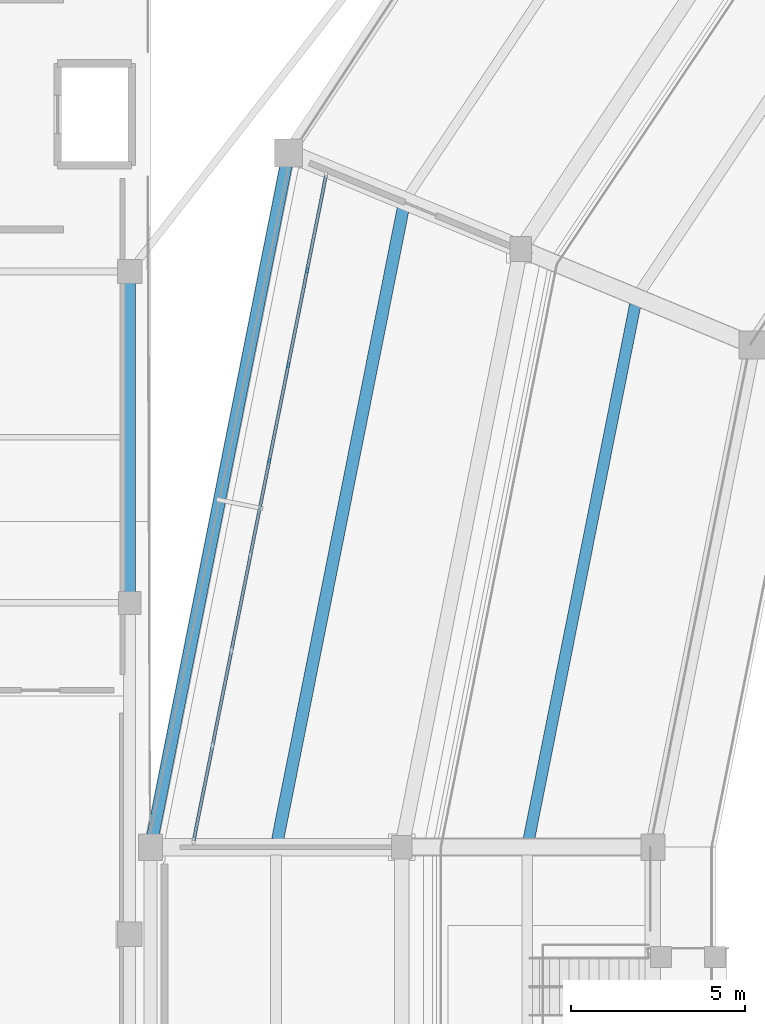
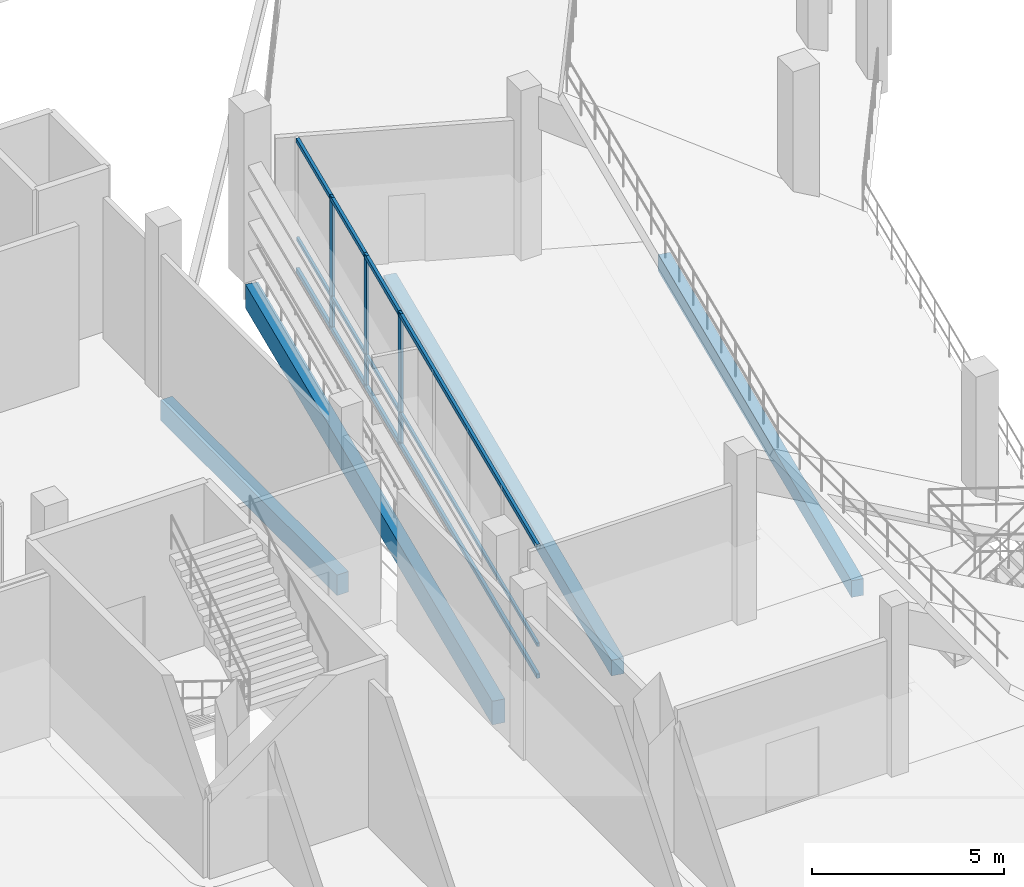
# One storey, part 30 of 127: 6 members, 4 beams, 1 element without a shape of its own.
"""IFC4 building model written with IfcOpenShell, lengths in metres."""

from ifc_helpers import new_model, si_unit, direction, frame, origin, origin_2d, place, context, subcontext, project, spatial, rectangle, extrude, material, material_profile, profile_set, type_object, element, aggregate, save


model = new_model("IFC4")

# Units and contexts
model_context = context("Model", 3, precision=1e-05, world=origin(), true_north=direction((0.0, 1.0)))
body_context = subcontext(model_context, "Body", "Model", "MODEL_VIEW")
ifc_project = project(units=[si_unit("LENGTHUNIT", "METRE"), si_unit("AREAUNIT", "SQUARE_METRE"), si_unit("VOLUMEUNIT", "CUBIC_METRE"), si_unit("PLANEANGLEUNIT", "RADIAN"), si_unit("MASSUNIT", "GRAM", prefix="KILO")], contexts=[model_context])

# Site, building, storey
site_placement = place(None, origin())
site = spatial("IfcSite", under=ifc_project, at=site_placement, CompositionType="ELEMENT")
building_placement = place(site_placement, origin())
building = spatial("IfcBuilding", under=site, at=building_placement, Name="Candeia Ridge Stadium", CompositionType="ELEMENT")
storey_placement = place(building_placement, frame((0.0, 0.0, 10.800048828125)))
storey = spatial("IfcBuildingStorey", under=building, at=storey_placement, Name="L02", CompositionType="ELEMENT", Elevation=10.800048828125)

# Curtain wall, members
ifc_material_1 = material(Name="Aluminium Anodized Warm Bronze", Category="aluminium")
curtain_wall_type = type_object("IfcCurtainWallType", Name="Concourse Recessed Unitised Curtain Wall", PredefinedType="NOTDEFINED", material=ifc_material_1)
curtain_wall_placement = place(storey_placement, origin())
curtain_wall = element("IfcCurtainWall", 1, at=curtain_wall_placement, inside=storey, type_object=curtain_wall_type, Name="Unitised curtain wall CW-BWL-L02-10", PredefinedType="NOTDEFINED")
ifc_material_profile_1 = material_profile(ifc_material_1, rectangle(XDim=0.074951171875, YDim=0.14990234375, at=origin_2d()), Name="CWM-75x150", Category="aluminium")
ifc_profile_set_1 = profile_set([ifc_material_profile_1], Name="Aluminium Anodized Warm Bronze")
member_type_1 = type_object("IfcMemberType", Name="Curtain Wall Secondary Mullion 75x150", PredefinedType="MULLION", material=ifc_profile_set_1)
member_1_placement = place(storey_placement, frame((23.489501953125, 111.537109375, 0.0), z_axis=(0.0, 0.0, 1.0), x_axis=(1.0, 0.0, 0.0)))
member_1 = element("IfcMember", 2, at=member_1_placement, type_object=member_type_1, Name="Curtain wall mullion CW-BWL-L02-10-M1", PredefinedType="MULLION", context=body_context, shape_type="SweptSolid", body=[
    extrude(rectangle(XDim=0.074951171875, YDim=0.14990234375, at=origin_2d()), origin(), (0.0, 0.0, 1.0), 4.2548828125),
])
member_2_placement = place(storey_placement, frame((22.947021484375, 108.810302734375, 0.0), z_axis=(0.0, 0.0, 1.0), x_axis=(1.0, 0.0, 0.0)))
member_2 = element("IfcMember", 3, at=member_2_placement, type_object=member_type_1, Name="Curtain wall mullion CW-BWL-L02-10-M2", PredefinedType="MULLION", context=body_context, shape_type="SweptSolid", body=[
    extrude(rectangle(XDim=0.074951171875, YDim=0.14990234375, at=origin_2d()), origin(), (0.0, 0.0, 1.0), 4.2548828125),
])
member_3_placement = place(storey_placement, frame((22.404541015625, 106.08349609375, 0.0), z_axis=(0.0, 0.0, 1.0), x_axis=(1.0, 0.0, 0.0)))
member_3 = element("IfcMember", 4, at=member_3_placement, type_object=member_type_1, Name="Curtain wall mullion CW-BWL-L02-10-M3", PredefinedType="MULLION", context=body_context, shape_type="SweptSolid", body=[
    extrude(rectangle(XDim=0.074951171875, YDim=0.14990234375, at=origin_2d()), origin(), (0.0, 0.0, 1.0), 4.2548828125),
])
ifc_material_profile_2 = material_profile(ifc_material_1, rectangle(XDim=0.074951171875, YDim=0.110107421875, at=origin_2d()), Name="CWT-75x110", Category="aluminium")
ifc_profile_set_2 = profile_set([ifc_material_profile_2], Name="Aluminium Anodized Warm Bronze")
member_type_2 = type_object("IfcMemberType", Name="Curtain Wall Secondary Transom 75x110", PredefinedType="USERDEFINED", material=ifc_profile_set_2)
member_4_placement = place(storey_placement, frame((24.03173828125, 114.263916015625, 1.063720703125), z_axis=(-0.195085896803, -0.980786160623, 0.0), x_axis=(0.980786160623, -0.195085896803, 0.0)))
member_4 = element("IfcMember", 5, at=member_4_placement, type_object=member_type_2, Name="Curtain wall transom CW-BWL-L02-10-T1", ObjectType="TRANSOM", PredefinedType="USERDEFINED", context=body_context, shape_type="SweptSolid", body=[
    extrude(rectangle(XDim=0.074951171875, YDim=0.110107421875, at=origin_2d()), origin(), (0.0, 0.0, 1.0), 19.46142578125),
])
ifc_material_profile_3 = material_profile(ifc_material_1, rectangle(XDim=0.090087890625, YDim=0.139892578125, at=origin_2d()), Name="CWT-90x140", Category="aluminium")
ifc_profile_set_3 = profile_set([ifc_material_profile_3], Name="Aluminium Anodized Warm Bronze")
member_type_3 = type_object("IfcMemberType", Name="Curtain Wall Transom 90x140", PredefinedType="USERDEFINED", material=ifc_profile_set_3)
member_5_placement = place(storey_placement, frame((24.03173828125, 114.263916015625, 0.070068359375), z_axis=(-0.195085896803, -0.980786160623, 0.0), x_axis=(0.980786160623, -0.195085896803, 0.0)))
member_5 = element("IfcMember", 6, at=member_5_placement, type_object=member_type_3, Name="Curtain wall transom CW-BWL-L02-10-T0", ObjectType="TRANSOM", PredefinedType="USERDEFINED", context=body_context, shape_type="SweptSolid", body=[
    extrude(rectangle(XDim=0.090087890625, YDim=0.139892578125, at=origin_2d()), origin(), (0.0, 0.0, 1.0), 19.46142578125),
])
member_6_placement = place(storey_placement, frame((24.03173828125, 114.263916015625, 4.18505859375), z_axis=(-0.195085896803, -0.980786160623, 0.0), x_axis=(0.980786160623, -0.195085896803, 0.0)))
member_6 = element("IfcMember", 7, at=member_6_placement, type_object=member_type_3, Name="Curtain wall transom CW-BWL-L02-10-T2", ObjectType="TRANSOM", PredefinedType="USERDEFINED", context=body_context, shape_type="SweptSolid", body=[
    extrude(rectangle(XDim=0.090087890625, YDim=0.139892578125, at=origin_2d()), origin(), (0.0, 0.0, 1.0), 19.46142578125),
])
aggregate(curtain_wall, [member_1, member_2, member_3, member_5, member_4, member_6])

# Beams
ifc_material_2 = material(Name="Concrete C40/50", Category="concrete")
ifc_material_profile_4 = material_profile(ifc_material_2, rectangle(XDim=0.330078125, YDim=0.530029296875, at=origin_2d()), Name="RC330x530", Category="concrete")
ifc_profile_set_4 = profile_set([ifc_material_profile_4], Name="Concrete C40/50")
beam_type_1 = type_object("IfcBeamType", Name="Floor Joist RC330x530", PredefinedType="JOIST", material=ifc_profile_set_4)
beam_1_placement = place(storey_placement, frame((32.892822265625, 110.548828125, -0.525146484375), z_axis=(-0.195091809076, -0.980784984607, 0.0), x_axis=(0.980784984607, -0.195091809076, 0.0)))
element("IfcBeam", 8, at=beam_1_placement, inside=storey, type_object=beam_type_1, Name="Concourse secondary joist BM-L02-0361", PredefinedType="JOIST", context=body_context, shape_type="SweptSolid", body=[
    extrude(rectangle(XDim=0.330078125, YDim=0.530029296875, at=origin_2d()), origin(), (0.0, 0.0, 1.0), 15.63134765625),
])
ifc_material_profile_5 = material_profile(ifc_material_2, rectangle(XDim=0.35009765625, YDim=0.5, at=origin_2d()), Name="RC350x500", Category="concrete")
ifc_profile_set_5 = profile_set([ifc_material_profile_5], Name="Concrete C40/50")
beam_type_2 = type_object("IfcBeamType", Name="Floor Joist RC350x500", PredefinedType="JOIST", material=ifc_profile_set_5)
beam_2_placement = place(storey_placement, frame((26.240966796875, 113.30419921875, -0.510009765625), z_axis=(-0.195092537954, -0.980784839623, 0.0), x_axis=(0.980784839623, -0.195092537954, 0.0)))
element("IfcBeam", 9, at=beam_2_placement, inside=storey, type_object=beam_type_2, Name="Concourse secondary joist BM-L02-0362", PredefinedType="JOIST", context=body_context, shape_type="SweptSolid", body=[
    extrude(rectangle(XDim=0.35009765625, YDim=0.5, at=origin_2d()), origin(), (0.0, 0.0, 1.0), 18.440673828125),
])
ifc_material_profile_6 = material_profile(ifc_material_2, rectangle(XDim=0.35009765625, YDim=0.64990234375, at=origin_2d()), Name="RC350x650", Category="concrete")
ifc_profile_set_6 = profile_set([ifc_material_profile_6], Name="Concrete C40/50")
beam_type_3 = type_object("IfcBeamType", Name="Spandrel Beam RC350x650", PredefinedType="SPANDREL", material=ifc_profile_set_6)
beam_3_placement = place(storey_placement, frame((18.39990234375, 102.159912109375, -0.5849609375), z_axis=(0.0, 1.0, 0.0), x_axis=(-1.0, 0.0, 0.0)))
element("IfcBeam", 10, at=beam_3_placement, inside=storey, type_object=beam_type_3, Name="Structural girder BM-L02-1147", PredefinedType="SPANDREL", context=body_context, shape_type="SweptSolid", body=[
    extrude(rectangle(XDim=0.35009765625, YDim=0.64990234375, at=origin_2d()), origin(), (0.0, 0.0, 1.0), 9.18017578125),
])
ifc_material_3 = material(Name="Concrete C45/55", Category="concrete")
ifc_material_profile_7 = material_profile(ifc_material_3, rectangle(XDim=0.35009765625, YDim=0.75, at=origin_2d()), Name="RC350x750", Category="concrete")
ifc_profile_set_7 = profile_set([ifc_material_profile_7], Name="Concrete C45/55")
beam_type_4 = type_object("IfcBeamType", Name="Spandrel Beam RC350x750", PredefinedType="SPANDREL", material=ifc_profile_set_7)
beam_4_placement = place(storey_placement, frame((22.927001953125, 114.74267578125, -0.635009765625), z_axis=(-0.195086242929, -0.980786091775, 0.0), x_axis=(0.980786091775, -0.195086242929, 0.0)))
element("IfcBeam", 11, at=beam_4_placement, inside=storey, type_object=beam_type_4, Name="Bowl perimeter spandrel BM-L02-0360", PredefinedType="SPANDREL", context=body_context, shape_type="SweptSolid", body=[
    extrude(rectangle(XDim=0.35009765625, YDim=0.75, at=origin_2d()), origin(), (0.0, 0.0, 1.0), 19.969482421875),
])

save(model, "model.ifc")
